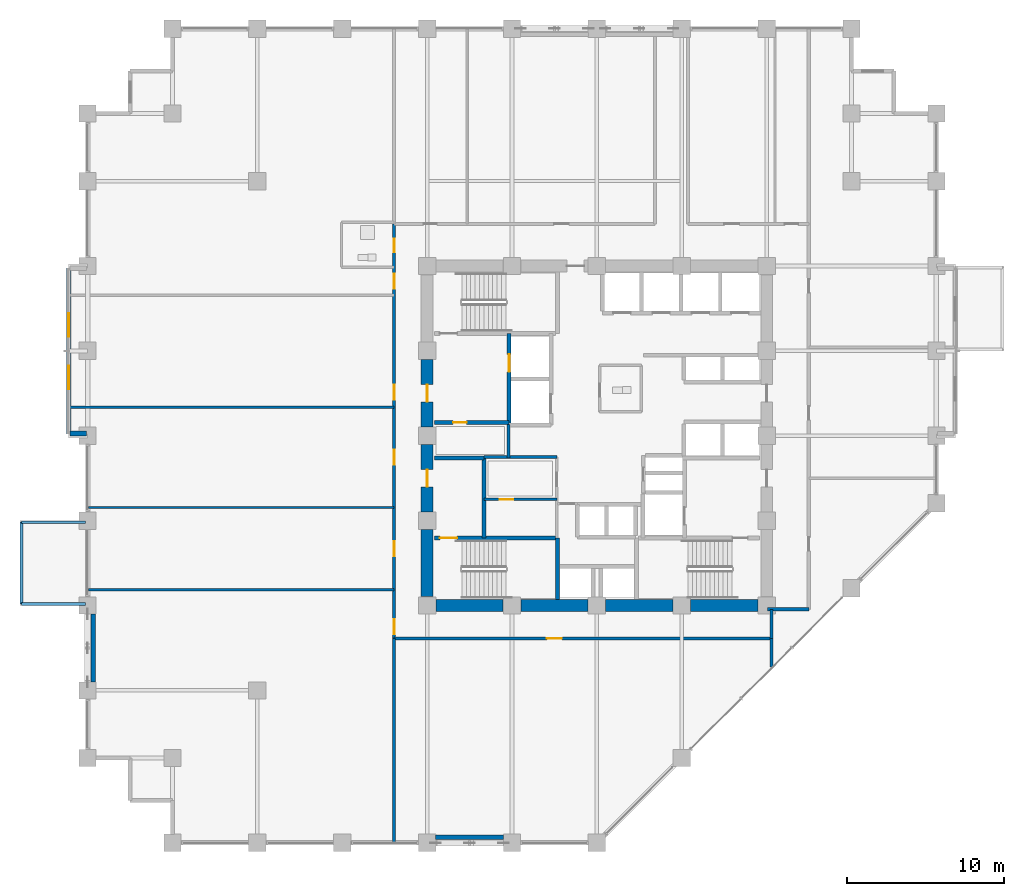
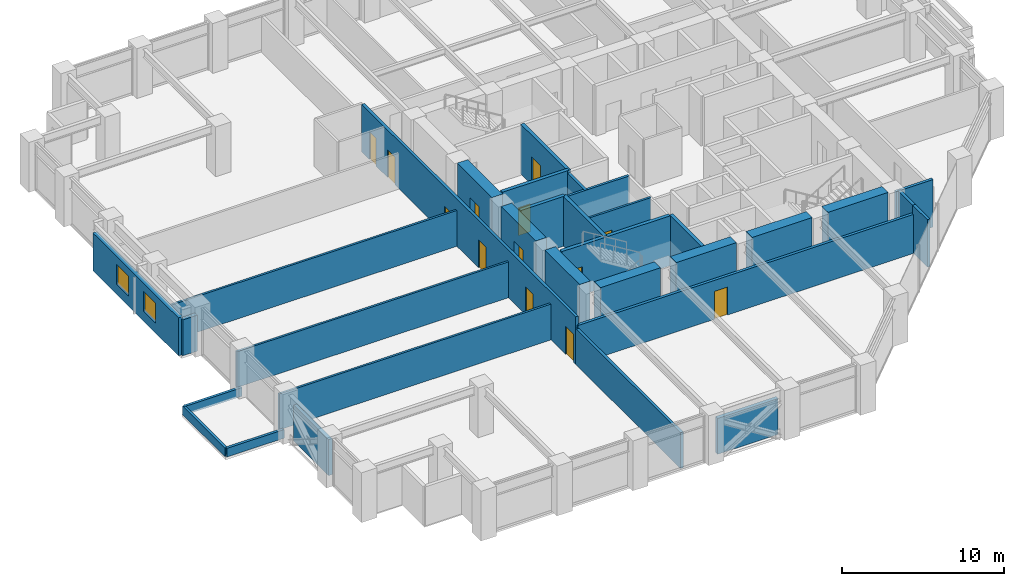
# One storey, part 19 of 25: 32 walls, 13 doors, 2 windows, 15 openings.
"""IFC4 building model written with IfcOpenShell, lengths in metres."""

import ifcopenshell
import ifcopenshell.guid

model = None  # the IFC model being written
_history = None  # IfcOwnerHistory: only IFC2X3 demands one
_inside = {}  # id of a spatial element -> (the spatial element, [elements in it])
_under = {}  # id of a project, library or spatial element -> (it, [spatial elements below it])
_declared = {}  # id of a project -> (the project, [libraries it declares])
_typed = {}  # id of a type object -> (the type object, [elements of that type])
_made_of = {}  # id of a material, layer set ... -> (it, [elements and type objects made of it])


def new_model(schema):
    """Start an empty IFC model of exactly this schema.

    Asked for "IFC4X3", IfcOpenShell would pick the latest addendum, in which some entities
    have other attributes; the version numbers below select the first issue.
    IFC2X3 requires an IfcOwnerHistory on every rooted entity: one is made here for all.
    """
    global model, _history
    if schema == "IFC4X3":
        model = ifcopenshell.file(schema_version=(4, 3, 0, 0))
    else:
        model = ifcopenshell.file(schema=schema)
    _inside.clear()
    _under.clear()
    _declared.clear()
    _typed.clear()
    _made_of.clear()
    _history = None
    if model.schema == "IFC2X3":
        org = make("IfcOrganization", Name="unknown")
        user = make(
            "IfcPersonAndOrganization",
            ThePerson=make("IfcPerson", FamilyName="unknown"),
            TheOrganization=org,
        )
        app = make(
            "IfcApplication",
            ApplicationDeveloper=org,
            Version="unknown",
            ApplicationFullName="unknown",
            ApplicationIdentifier="unknown",
        )
        _history = make(
            "IfcOwnerHistory",
            OwningUser=user,
            OwningApplication=app,
            ChangeAction="ADDED",
            CreationDate=0,
        )
    return model


def make(cls, **values):
    """One entity of the class cls with the attributes given. An attribute that is None is left unset."""
    return model.create_entity(
        cls, **{name: value for name, value in values.items() if value is not None}
    )


def rooted(cls, **values):
    """An entity with a GlobalId (a new one), such as an element, a storey or a relation."""
    return make(cls, GlobalId=ifcopenshell.guid.new(), OwnerHistory=_history, **values)


def si_unit(unit_type, name, prefix=None):
    """IfcSIUnit, for example si_unit("LENGTHUNIT", "METRE", prefix="MILLI")."""
    return make("IfcSIUnit", UnitType=unit_type, Prefix=prefix, Name=name)


def assignment(units):
    """IfcUnitAssignment: the units of a project."""
    return None if units is None else make("IfcUnitAssignment", Units=units)


def point(xyz):
    """IfcCartesianPoint."""
    return None if xyz is None else make("IfcCartesianPoint", Coordinates=xyz)


def direction(xyz):
    """IfcDirection."""
    return None if xyz is None else make("IfcDirection", DirectionRatios=xyz)


def frame(location, z_axis=None, x_axis=None):
    """IfcAxis2Placement3D, a coordinate frame: its origin and axes. An axis left out is left unset."""
    return make(
        "IfcAxis2Placement3D",
        Location=point(location),
        Axis=direction(z_axis),
        RefDirection=direction(x_axis),
    )


def frame_2d(location, x_axis=None):
    """IfcAxis2Placement2D, a coordinate frame in the plane: its origin and x axis."""
    return make(
        "IfcAxis2Placement2D", Location=point(location), RefDirection=direction(x_axis)
    )


def origin():
    """The frame at (0, 0, 0) with its axes left unset."""
    return frame((0.0, 0.0, 0.0))


def place(relative_to, where):
    """IfcLocalPlacement: puts the frame where relative to a parent placement (None: the world)."""
    return make(
        "IfcLocalPlacement", PlacementRelTo=relative_to, RelativePlacement=where
    )


def context(
    kind, dimensions, precision=None, world=None, true_north=None, identifier=None
):
    """IfcGeometricRepresentationContext, for example the 3D "Model" context."""
    return make(
        "IfcGeometricRepresentationContext",
        ContextIdentifier=identifier,
        ContextType=kind,
        CoordinateSpaceDimension=dimensions,
        Precision=precision,
        WorldCoordinateSystem=world,
        TrueNorth=true_north,
    )


def subcontext(parent, identifier, kind, view, scale=None):
    """IfcGeometricRepresentationSubContext, for example "Body" below "Model"."""
    return make(
        "IfcGeometricRepresentationSubContext",
        ContextIdentifier=identifier,
        ContextType=kind,
        ParentContext=parent,
        TargetScale=scale,
        TargetView=view,
    )


def project(units=None, contexts=None):
    """IfcProject with its units and contexts."""
    return rooted(
        "IfcProject",
        Name="project",
        RepresentationContexts=contexts,
        UnitsInContext=assignment(units),
    )


def spatial(cls, under=None, at=None, **own):
    """A site, building, storey or space (cls), placed at a placement, below another one or the project."""
    s = rooted(cls, ObjectPlacement=at, **own)
    if under is not None:
        _under.setdefault(under.id(), (under, []))[1].append(s)
    return s


def profile(cls, at=None, kind="AREA", **sizes):
    """A parametric profile (cls). Its sizes go by their IFC names, for example OverallWidth=200.0."""
    return make(cls, ProfileType=kind, Position=at, **sizes)


def rectangle(**sizes):
    """IfcRectangleProfileDef."""
    return profile("IfcRectangleProfileDef", **sizes)


def extrude(swept, where, along, depth):
    """IfcExtrudedAreaSolid: the profile swept, set in the frame where, extruded along a direction by depth."""
    return make(
        "IfcExtrudedAreaSolid",
        SweptArea=swept,
        Position=where,
        ExtrudedDirection=direction(along),
        Depth=depth,
    )


def shape(context_of_items, identifier, shape_type, items):
    """IfcShapeRepresentation: the items that make up one representation, for example the "Body"."""
    return make(
        "IfcShapeRepresentation",
        ContextOfItems=context_of_items,
        RepresentationIdentifier=identifier,
        RepresentationType=shape_type,
        Items=items,
    )


def material(Name=None, Category=None):
    """IfcMaterial."""
    return make("IfcMaterial", Name=Name, Category=Category)


def layer(
    of_material, thickness, ventilated=None, Name=None, Category=None, Priority=None
):
    """IfcMaterialLayer: one layer of a wall or slab, of a material (None: an air gap)."""
    return make(
        "IfcMaterialLayer",
        Material=of_material,
        LayerThickness=thickness,
        IsVentilated=ventilated,
        Name=Name,
        Category=Category,
        Priority=Priority,
    )


def layer_set(layers, Name=None):
    """IfcMaterialLayerSet."""
    return make("IfcMaterialLayerSet", MaterialLayers=layers, LayerSetName=Name)


def made_of(thing, what):
    """Note that an element or type object is made of a material, layer set ...; save() writes the relation."""
    if what is not None:
        _made_of.setdefault(what.id(), (what, []))[1].append(thing)
    return thing


def type_object(cls, material=None, **own):
    """A type object (cls), such as IfcWallType, which elements share."""
    return made_of(rooted(cls, **own), material)


def element(
    cls,
    number,
    at=None,
    inside=None,
    cuts=None,
    type_object=None,
    material=None,
    context=None,
    identifier="Body",
    shape_type=None,
    held_by="IfcProductDefinitionShape",
    body=None,
    shapes=None,
    **own,
):
    """One element of the class cls, such as IfcWall. Its Tag is "e" and its number.

    at: its placement. inside: the storey or other place that contains it. cuts: it is an
    opening in that element (IfcRelVoidsElement). A single representation is given by context,
    identifier, shape_type and body (its items); several are given by shapes. held_by: the class
    of the entity that holds the representations. save() writes the other relations.
    """
    e = rooted(cls, Tag="e%d" % number, ObjectPlacement=at, **own)
    if body is not None:
        shapes = [shape(context, identifier, shape_type, body)]
    if shapes is not None:
        e.Representation = make(held_by, Representations=shapes)
    if inside is not None:
        _inside.setdefault(inside.id(), (inside, []))[1].append(e)
    if cuts is not None:
        rooted(
            "IfcRelVoidsElement", RelatingBuildingElement=cuts, RelatedOpeningElement=e
        )
    if type_object is not None:
        _typed.setdefault(type_object.id(), (type_object, []))[1].append(e)
    return made_of(e, material)


def fill(opening, filler):
    """IfcRelFillsElement: the door or window that sits in an opening."""
    return rooted(
        "IfcRelFillsElement",
        RelatingOpeningElement=opening,
        RelatedBuildingElement=filler,
    )


def aggregate(whole, parts):
    """IfcRelAggregates: a whole, such as a stair, and the parts it consists of."""
    return rooted("IfcRelAggregates", RelatingObject=whole, RelatedObjects=parts)


def save(model, path):
    """Write the relations noted so far, then the file.

    IfcRelAggregates (storeys below a building ...), IfcRelContainedInSpatialStructure (elements
    in a storey), IfcRelDefinesByType, IfcRelAssociatesMaterial and IfcRelDeclares: one each for
    every whole, place, type object, material and project.
    """
    for whole, parts in _under.values():
        aggregate(whole, parts)
    for where, things in _inside.values():
        rooted(
            "IfcRelContainedInSpatialStructure",
            RelatedElements=things,
            RelatingStructure=where,
        )
    for kind, things in _typed.values():
        rooted("IfcRelDefinesByType", RelatedObjects=things, RelatingType=kind)
    for what, things in _made_of.values():
        rooted("IfcRelAssociatesMaterial", RelatedObjects=things, RelatingMaterial=what)
    for by, libraries in _declared.values():
        rooted("IfcRelDeclares", RelatingContext=by, RelatedDefinitions=libraries)
    model.write(path)


model = new_model("IFC4")

# Units and contexts
model_context = context("Model", 3, precision=1e-05, world=origin(), true_north=direction((0.0, 1.0)))
body_context = subcontext(model_context, "Body", "Model", "MODEL_VIEW")
ifc_project = project(units=[si_unit("LENGTHUNIT", "METRE"), si_unit("AREAUNIT", "SQUARE_METRE"), si_unit("VOLUMEUNIT", "CUBIC_METRE"), si_unit("PLANEANGLEUNIT", "RADIAN"), si_unit("MASSUNIT", "GRAM", prefix="KILO")], contexts=[model_context])

# Site, building, storey
site_placement = place(None, origin())
site = spatial("IfcSite", under=ifc_project, at=site_placement, CompositionType="ELEMENT")
building_placement = place(site_placement, origin())
building = spatial("IfcBuilding", under=site, at=building_placement, Name="Surkhivell Harbour Commons", CompositionType="ELEMENT")
storey_placement = place(building_placement, frame((0.0, 0.0, 94.5)))
storey = spatial("IfcBuildingStorey", under=building, at=storey_placement, Name="L24", CompositionType="ELEMENT", Elevation=94.5)

# Walls
ifc_material_1 = material(Name="Concrete C60/75", Category="concrete")
ifc_layer_1 = layer(ifc_material_1, 0.75)
ifc_layer_set_1 = layer_set([ifc_layer_1], Name="Concrete C60/75")
wall_type_1 = type_object("IfcWallType", Name="WAL-CORE-750", PredefinedType="SHEAR", material=ifc_layer_set_1)
for number, where, z_axis, x_axis, name in (
    (1, (-10.239990234375, -10.800048828125, 0.0), (0.0, 0.0, 1.0), (1.0, 0.0, 0.0), "L24 Core Shear Wall South 1"),
    (2, (-10.800048828125, -10.239990234375, 0.0), (0.0, 0.0, 1.0), (0.0, 1.0, 0.0), "L24 Core Shear Wall West 1"),
    (3, (-4.840087890625, -10.800048828125, 0.0), (0.0, 0.0, 1.0), (1.0, 0.0, 0.0), "L24 Core Shear Wall South 2"),
):
    element("IfcWall", number, at=place(storey_placement, frame(where, z_axis=z_axis, x_axis=x_axis)), inside=storey, type_object=wall_type_1, Name=name, PredefinedType="SHEAR", context=body_context, shape_type="SweptSolid", body=[
        extrude(rectangle(XDim=4.280029296875, YDim=0.75, at=frame_2d((2.14013671875, 0.0))), origin(), (0.0, 0.0, 1.0), 3.75),
    ])

# Wall, opening, door
wall_1_placement = place(storey_placement, frame((-10.800048828125, -4.840087890625, 0.0), z_axis=(0.0, 0.0, 1.0), x_axis=(0.0, 1.0, 0.0)))
wall_1 = element("IfcWall", 4, at=wall_1_placement, inside=storey, type_object=wall_type_1, Name="L24 Core Shear Wall West 2", PredefinedType="SHEAR", context=body_context, shape_type="SweptSolid", body=[
    extrude(rectangle(XDim=4.280029296875, YDim=0.75, at=frame_2d((2.14013671875, 0.0))), origin(), (0.0, 0.0, 1.0), 3.75),
])
opening_1_placement = place(wall_1_placement, frame((1.590087890625, 0.0, 0.0)))
opening_1 = element("IfcOpeningElement", 5, at=opening_1_placement, cuts=wall_1, Name="Opening ID-2", PredefinedType="OPENING", context=body_context, shape_type="SweptSolid", body=[
    extrude(rectangle(XDim=1.10009765625, YDim=2.10009765625, at=frame_2d((0.550048828125, 1.050048828125))), frame((0.0, 0.385009765625, 0.0), z_axis=(0.0, -1.0, 0.0), x_axis=(1.0, 0.0, 0.0)), (0.0, 0.0, 1.0), 0.77001953125),
])
ifc_material_2 = material(Name="Hardwood-veneered fire-rated door leaf", Category="wood")
door_type_1 = type_object("IfcDoorType", Name="DOR-FD60-1100", OperationType="NOTDEFINED", PredefinedType="DOOR", material=ifc_material_2)
door_1_placement = place(opening_1_placement, origin())
door_1 = element("IfcDoor", 6, at=door_1_placement, inside=storey, type_object=door_type_1, Name="L24 Stair 3 Lobby Corridor Door", OperationType="SINGLE_SWING_LEFT", OverallHeight=2.10009765625, OverallWidth=1.10009765625, PredefinedType="DOOR", context=body_context, shape_type="SweptSolid", body=[
    extrude(rectangle(XDim=1.10009765625, YDim=2.10009765625, at=frame_2d((0.550048828125, 1.050048828125))), frame((0.0, 0.02490234375, 0.0), z_axis=(0.0, -1.0, 0.0), x_axis=(1.0, 0.0, 0.0)), (0.0, 0.0, 1.0), 0.050048828125),
])
fill(opening_1, door_1)

# Wall
wall_2_placement = place(storey_placement, frame((0.56005859375, -10.800048828125, 0.0), z_axis=(0.0, 0.0, 1.0), x_axis=(1.0, 0.0, 0.0)))
element("IfcWall", 7, at=wall_2_placement, inside=storey, type_object=wall_type_1, Name="L24 Core Shear Wall South 3", PredefinedType="SHEAR", context=body_context, shape_type="SweptSolid", body=[
    extrude(rectangle(XDim=4.280029296875, YDim=0.75, at=frame_2d((2.14013671875, 0.0))), origin(), (0.0, 0.0, 1.0), 3.75),
])

# Wall, opening, door
wall_3_placement = place(storey_placement, frame((-10.800048828125, 0.56005859375, 0.0), z_axis=(0.0, 0.0, 1.0), x_axis=(0.0, 1.0, 0.0)))
wall_3 = element("IfcWall", 8, at=wall_3_placement, inside=storey, type_object=wall_type_1, Name="L24 Core Shear Wall West 3", PredefinedType="SHEAR", context=body_context, shape_type="SweptSolid", body=[
    extrude(rectangle(XDim=4.280029296875, YDim=0.75, at=frame_2d((2.14013671875, 0.0))), origin(), (0.0, 0.0, 1.0), 3.75),
])
opening_2_placement = place(wall_3_placement, frame((1.590087890625, 0.0, 0.0)))
opening_2 = element("IfcOpeningElement", 9, at=opening_2_placement, cuts=wall_3, Name="Opening ID-1", PredefinedType="OPENING", context=body_context, shape_type="SweptSolid", body=[
    extrude(rectangle(XDim=1.10009765625, YDim=2.10009765625, at=frame_2d((0.550048828125, 1.050048828125))), frame((0.0, 0.385009765625, 0.0), z_axis=(0.0, -1.0, 0.0), x_axis=(1.0, 0.0, 0.0)), (0.0, 0.0, 1.0), 0.77001953125),
])
door_type_2 = type_object("IfcDoorType", Name="DOR-FD120-1100", OperationType="NOTDEFINED", PredefinedType="DOOR", material=ifc_material_2)
door_2_placement = place(opening_2_placement, origin())
door_2 = element("IfcDoor", 10, at=door_2_placement, inside=storey, type_object=door_type_2, Name="L24 Firefighting Lobby 1 Corridor Door", OperationType="SINGLE_SWING_LEFT", OverallHeight=2.10009765625, OverallWidth=1.10009765625, PredefinedType="DOOR", context=body_context, shape_type="SweptSolid", body=[
    extrude(rectangle(XDim=1.10009765625, YDim=2.10009765625, at=frame_2d((0.550048828125, 1.050048828125))), frame((0.0, 0.02490234375, 0.0), z_axis=(0.0, -1.0, 0.0), x_axis=(1.0, 0.0, 0.0)), (0.0, 0.0, 1.0), 0.050048828125),
])
fill(opening_2, door_2)

# Wall
wall_4_placement = place(storey_placement, frame((5.9599609375, -10.800048828125, 0.0), z_axis=(0.0, 0.0, 1.0), x_axis=(1.0, 0.0, 0.0)))
element("IfcWall", 11, at=wall_4_placement, inside=storey, type_object=wall_type_1, Name="L24 Core Shear Wall South 4", PredefinedType="SHEAR", context=body_context, shape_type="SweptSolid", body=[
    extrude(rectangle(XDim=4.280029296875, YDim=0.75, at=frame_2d((2.14013671875, 0.0))), origin(), (0.0, 0.0, 1.0), 3.75),
])

# Wall, openings, windows
ifc_material_3 = material(Name="Flemish-bond kiln brick and precast concrete C45/55", Category="masonry")
ifc_layer_2 = layer(ifc_material_3, 0.300048828125)
ifc_layer_set_2 = layer_set([ifc_layer_2], Name="Flemish-bond kiln brick and precast concrete C45/55")
wall_type_2 = type_object("IfcWallType", Name="WAL-EXT-BRK300", PredefinedType="STANDARD", material=ifc_layer_set_2)
wall_5_placement = place(storey_placement, frame((-33.60009765625, 10.679931640625, 0.0), z_axis=(0.0, 0.0, 1.0), x_axis=(0.0, -1.0, 0.0)))
wall_5 = element("IfcWall", 12, at=wall_5_placement, inside=storey, type_object=wall_type_2, Name="L24 Coloured Box Front Wall 02", PredefinedType="STANDARD", context=body_context, shape_type="SweptSolid", body=[
    extrude(rectangle(XDim=10.559814453125, YDim=0.300048828125, at=frame_2d((5.27978515625, 0.0))), origin(), (0.0, 0.0, 1.0), 2.85693359375),
])
opening_3_placement = place(wall_5_placement, frame((2.889892578125, 0.0, 0.75)))
opening_3 = element("IfcOpeningElement", 13, at=opening_3_placement, cuts=wall_5, Name="Opening WN-13", PredefinedType="OPENING", context=body_context, shape_type="SweptSolid", body=[
    extrude(rectangle(XDim=1.5, YDim=1.5, at=frame_2d((0.75, 0.75))), frame((0.0, 0.159912109375, 0.0), z_axis=(0.0, -1.0, 0.0), x_axis=(1.0, 0.0, 0.0)), (0.0, 0.0, 1.0), 0.320068359375),
])
opening_4_placement = place(wall_5_placement, frame((6.22998046875, 0.0, 0.75)))
opening_4 = element("IfcOpeningElement", 14, at=opening_4_placement, cuts=wall_5, Name="Opening WN-13", PredefinedType="OPENING", context=body_context, shape_type="SweptSolid", body=[
    extrude(rectangle(XDim=1.5, YDim=1.5, at=frame_2d((0.75, 0.75))), frame((0.0, 0.159912109375, 0.0), z_axis=(0.0, -1.0, 0.0), x_axis=(1.0, 0.0, 0.0)), (0.0, 0.0, 1.0), 0.320068359375),
])
ifc_material_4 = material(Name="Thermal-break aluminium frame and double low-E glazing", Category="aluminium")
window_type = type_object("IfcWindowType", Name="WIN-BOX-1500x1500", PartitioningType="SINGLE_PANEL", PredefinedType="WINDOW", material=ifc_material_4)
window_1_placement = place(opening_3_placement, origin())
window_1 = element("IfcWindow", 15, at=window_1_placement, inside=storey, type_object=window_type, Name="L24 Coloured Box Square Window 02-1", OverallHeight=1.5, OverallWidth=1.5, PartitioningType="SINGLE_PANEL", PredefinedType="WINDOW", context=body_context, shape_type="SweptSolid", body=[
    extrude(rectangle(XDim=1.5, YDim=1.5, at=frame_2d((0.75, 0.75))), frame((0.0, 0.030029296875, 0.0), z_axis=(0.0, -1.0, 0.0), x_axis=(1.0, 0.0, 0.0)), (0.0, 0.0, 1.0), 0.06005859375),
])
fill(opening_3, window_1)
window_2_placement = place(opening_4_placement, origin())
window_2 = element("IfcWindow", 16, at=window_2_placement, inside=storey, type_object=window_type, Name="L24 Coloured Box Square Window 02-2", OverallHeight=1.5, OverallWidth=1.5, PartitioningType="SINGLE_PANEL", PredefinedType="WINDOW", context=body_context, shape_type="SweptSolid", body=[
    extrude(rectangle(XDim=1.5, YDim=1.5, at=frame_2d((0.75, 0.75))), frame((0.0, 0.030029296875, 0.0), z_axis=(0.0, -1.0, 0.0), x_axis=(1.0, 0.0, 0.0)), (0.0, 0.0, 1.0), 0.06005859375),
])
fill(opening_4, window_2)

# Walls
wall_6_placement = place(storey_placement, frame((-33.52001953125, 0.139892578125, 0.0), z_axis=(0.0, 0.0, 1.0), x_axis=(1.0, 0.0, 0.0)))
element("IfcWall", 17, at=wall_6_placement, inside=storey, type_object=wall_type_2, Name="L24 Coloured Box Return Wall 02S", PredefinedType="STANDARD", context=body_context, shape_type="SweptSolid", body=[
    extrude(rectangle(XDim=1.0400390625, YDim=0.300048828125, at=frame_2d((0.52001953125, 0.0))), origin(), (0.0, 0.0, 1.0), 2.698974609375),
])
ifc_material_5 = material(Name="Pale-metal insulated precast concrete C45/55", Category="concrete")
ifc_layer_3 = layer(ifc_material_5, 0.260009765625)
ifc_layer_set_3 = layer_set([ifc_layer_3], Name="Pale-metal insulated precast concrete C45/55")
wall_type_3 = type_object("IfcWallType", Name="WAL-EXT-MTL260", PredefinedType="STANDARD", material=ifc_layer_set_3)
wall_7_placement = place(storey_placement, frame((-10.251953125, -25.5400390625, 0.0), z_axis=(0.0, 0.0, 1.0), x_axis=(1.0, 0.0, 0.0)))
element("IfcWall", 18, at=wall_7_placement, inside=storey, type_object=wall_type_3, Name="L24 Braced-Bay Insulated Spandrel Backing S", PredefinedType="STANDARD", context=body_context, shape_type="SweptSolid", body=[
    extrude(rectangle(XDim=4.303955078125, YDim=0.260009765625, at=frame_2d((2.15185546875, 0.0))), origin(), (0.0, 0.0, 1.0), 2.698974609375),
])
wall_8_placement = place(storey_placement, frame((-32.0400390625, -15.652099609375, 0.0), z_axis=(0.0, 0.0, 1.0), x_axis=(0.0, 1.0, 0.0)))
element("IfcWall", 19, at=wall_8_placement, inside=storey, type_object=wall_type_3, Name="L24 Braced-Bay Insulated Spandrel Backing W", PredefinedType="STANDARD", context=body_context, shape_type="SweptSolid", body=[
    extrude(rectangle(XDim=4.30419921875, YDim=0.260009765625, at=frame_2d((2.152099609375, 0.0))), origin(), (0.0, 0.0, 1.0), 2.698974609375),
])

# Wall, opening, door
ifc_material_6 = material(Name="Twin-stud acoustic fireboard partition", Category="other")
ifc_layer_4 = layer(ifc_material_6, 0.14990234375)
ifc_layer_set_4 = layer_set([ifc_layer_4], Name="Twin-stud acoustic fireboard partition")
wall_type_4 = type_object("IfcWallType", Name="WAL-INT-150", PredefinedType="PARTITIONING", material=ifc_layer_set_4)
wall_9_placement = place(storey_placement, frame((-7.179931640625, -4.050048828125, 0.0), z_axis=(0.0, 0.0, 1.0), x_axis=(1.0, 0.0, 0.0)))
wall_9 = element("IfcWall", 20, at=wall_9_placement, inside=storey, type_object=wall_type_4, Name="L24 Core Cut A Partition", PredefinedType="PARTITIONING", context=body_context, shape_type="SweptSolid", body=[
    extrude(rectangle(XDim=4.6298828125, YDim=0.14990234375, at=frame_2d((2.31494140625, 0.0))), origin(), (0.0, 0.0, 1.0), 3.570068359375),
])
opening_5_placement = place(wall_9_placement, frame((1.0, 0.0, 0.0)))
opening_5 = element("IfcOpeningElement", 21, at=opening_5_placement, cuts=wall_9, Name="Opening ID-6", PredefinedType="OPENING", context=body_context, shape_type="SweptSolid", body=[
    extrude(rectangle(XDim=0.85009765625, YDim=2.10009765625, at=frame_2d((0.425048828125, 1.050048828125))), frame((0.0, 0.0849609375, 0.0), z_axis=(0.0, -1.0, 0.0), x_axis=(1.0, 0.0, 0.0)), (0.0, 0.0, 1.0), 0.169921875),
])
door_type_3 = type_object("IfcDoorType", Name="DOR-FD30-850", OperationType="NOTDEFINED", PredefinedType="DOOR", material=ifc_material_2)
door_3_placement = place(opening_5_placement, origin())
door_3 = element("IfcDoor", 22, at=door_3_placement, inside=storey, type_object=door_type_3, Name="L24 Linen Room Door", OperationType="SINGLE_SWING_RIGHT", OverallHeight=2.10009765625, OverallWidth=0.85009765625, PredefinedType="DOOR", context=body_context, shape_type="SweptSolid", body=[
    extrude(rectangle(XDim=0.85009765625, YDim=2.10009765625, at=frame_2d((0.425048828125, 1.050048828125))), frame((0.0, 0.02490234375, 0.0), z_axis=(0.0, -1.0, 0.0), x_axis=(1.0, 0.0, 0.0)), (0.0, 0.0, 1.0), 0.050048828125),
])
fill(opening_5, door_3)

# Walls
wall_10_placement = place(storey_placement, frame((-32.340087890625, -4.56005859375, 0.0), z_axis=(0.0, 0.0, 1.0), x_axis=(1.0, 0.0, 0.0)))
element("IfcWall", 23, at=wall_10_placement, inside=storey, type_object=wall_type_4, Name="L24 West Partition BDP1", PredefinedType="PARTITIONING", context=body_context, shape_type="SweptSolid", body=[
    extrude(rectangle(XDim=19.440185546875, YDim=0.14990234375, at=frame_2d((9.72021484375, 0.0))), origin(), (0.0, 0.0, 1.0), 2.698974609375),
])
wall_11_placement = place(storey_placement, frame((-33.5400390625, 1.81005859375, 0.0), z_axis=(0.0, 0.0, 1.0), x_axis=(1.0, 0.0, 0.0)))
element("IfcWall", 24, at=wall_11_placement, inside=storey, type_object=wall_type_4, Name="L24 West Partition BDP2", PredefinedType="PARTITIONING", context=body_context, shape_type="SweptSolid", body=[
    extrude(rectangle(XDim=20.64013671875, YDim=0.14990234375, at=frame_2d((10.320068359375, 0.0))), origin(), (0.0, 0.0, 1.0), 2.698974609375),
])
wall_12_placement = place(storey_placement, frame((-32.340087890625, -9.800048828125, 0.0), z_axis=(0.0, 0.0, 1.0), x_axis=(1.0, 0.0, 0.0)))
element("IfcWall", 25, at=wall_12_placement, inside=storey, type_object=wall_type_4, Name="L24 West Partition PBOT", PredefinedType="PARTITIONING", context=body_context, shape_type="SweptSolid", body=[
    extrude(rectangle(XDim=19.440185546875, YDim=0.14990234375, at=frame_2d((9.72021484375, 0.0))), origin(), (0.0, 0.0, 1.0), 2.698974609375),
])
ifc_material_7 = material(Name="High-density acoustic blockwork fire partition", Category="masonry")
ifc_layer_5 = layer(ifc_material_7, 0.175048828125)
ifc_layer_set_5 = layer_set([ifc_layer_5], Name="High-density acoustic blockwork fire partition")
wall_type_5 = type_object("IfcWallType", Name="WAL-INT-175", PredefinedType="PARTITIONING", material=ifc_layer_set_5)
wall_13_placement = place(storey_placement, frame((-7.179931640625, -1.35009765625, 0.0), z_axis=(0.0, 0.0, 1.0), x_axis=(1.0, 0.0, 0.0)))
element("IfcWall", 26, at=wall_13_placement, inside=storey, type_object=wall_type_5, Name="L24 Core Service Bay North Wall", PredefinedType="PARTITIONING", context=body_context, shape_type="SweptSolid", body=[
    extrude(rectangle(XDim=4.6298828125, YDim=0.175048828125, at=frame_2d((2.31494140625, 0.0))), origin(), (0.0, 0.0, 1.0), 3.570068359375),
])
wall_14_placement = place(storey_placement, frame((-5.6201171875, -1.419921875, 0.0), z_axis=(0.0, 0.0, 1.0), x_axis=(0.0, 1.0, 0.0)))
element("IfcWall", 27, at=wall_14_placement, inside=storey, type_object=wall_type_5, Name="L24 West Core Bay East Wall", PredefinedType="PARTITIONING", context=body_context, shape_type="SweptSolid", body=[
    extrude(rectangle(XDim=2.139892578125, YDim=0.175048828125, at=frame_2d((1.06982421875, 0.0))), origin(), (0.0, 0.0, 1.0), 3.570068359375),
])
ifc_material_8 = material(Name="Autoclaved aerated concrete blockwork and fire plaster", Category="masonry")
ifc_layer_6 = layer(ifc_material_8, 0.199951171875)
ifc_layer_set_6 = layer_set([ifc_layer_6], Name="Autoclaved aerated concrete blockwork and fire plaster")
wall_type_6 = type_object("IfcWallType", Name="WAL-INT-200", PredefinedType="PARTITIONING", material=ifc_layer_set_6)
wall_15_placement = place(storey_placement, frame((11.10009765625, -14.715087890625, 0.0), z_axis=(0.0, 0.0, 1.0), x_axis=(0.0, 1.0, 0.0)))
element("IfcWall", 28, at=wall_15_placement, inside=storey, type_object=wall_type_6, Name="L24 South-East Wing Corner Divider", PredefinedType="PARTITIONING", context=body_context, shape_type="SweptSolid", body=[
    extrude(rectangle(XDim=1.815185546875, YDim=0.199951171875, at=frame_2d((0.90771484375, 0.0))), origin(), (0.0, 0.0, 1.0), 3.570068359375),
])
wall_16_placement = place(storey_placement, frame((-12.89990234375, -25.840087890625, 0.0), z_axis=(0.0, 0.0, 1.0), x_axis=(0.0, 1.0, 0.0)))
element("IfcWall", 29, at=wall_16_placement, inside=storey, type_object=wall_type_6, Name="L24 South-West Wing Corner Divider", PredefinedType="PARTITIONING", context=body_context, shape_type="SweptSolid", body=[
    extrude(rectangle(XDim=12.940185546875, YDim=0.199951171875, at=frame_2d((6.47021484375, 0.0))), origin(), (0.0, 0.0, 1.0), 2.698974609375),
])
wall_17_placement = place(storey_placement, frame((10.85009765625, -11.0400390625, 0.0), z_axis=(0.0, 0.0, 1.0), x_axis=(1.0, 0.0, 0.0)))
element("IfcWall", 30, at=wall_17_placement, inside=storey, type_object=wall_type_6, Name="L24 Corridor East South Closure Wall", PredefinedType="PARTITIONING", context=body_context, shape_type="SweptSolid", body=[
    extrude(rectangle(XDim=2.6298828125, YDim=0.199951171875, at=frame_2d((1.31494140625, 0.0))), origin(), (0.0, 0.0, 1.0), 3.570068359375),
])

# Wall, opening, door
wall_18_placement = place(storey_placement, frame((-12.89990234375, -12.89990234375, 0.0), z_axis=(0.0, 0.0, 1.0), x_axis=(1.0, 0.0, 0.0)))
wall_18 = element("IfcWall", 31, at=wall_18_placement, inside=storey, type_object=wall_type_6, Name="L24 Corridor South Wall", PredefinedType="PARTITIONING", context=body_context, shape_type="SweptSolid", body=[
    extrude(rectangle(XDim=24.0, YDim=0.199951171875, at=frame_2d((12.0, 0.0))), origin(), (0.0, 0.0, 1.0), 2.93310546875),
])
opening_6_placement = place(wall_18_placement, frame((9.7177734375, 0.0, 0.0)))
opening_6 = element("IfcOpeningElement", 32, at=opening_6_placement, cuts=wall_18, Name="Opening ID-4", PredefinedType="OPENING", context=body_context, shape_type="SweptSolid", body=[
    extrude(rectangle(XDim=0.949951171875, YDim=2.10009765625, at=frame_2d((0.47509765625, 1.050048828125))), frame((0.0, 0.10986328125, 0.0), z_axis=(0.0, -1.0, 0.0), x_axis=(1.0, 0.0, 0.0)), (0.0, 0.0, 1.0), 0.219970703125),
])
door_type_4 = type_object("IfcDoorType", Name="DOR-FD60-950", OperationType="NOTDEFINED", PredefinedType="DOOR", material=ifc_material_2)
door_4_placement = place(opening_6_placement, origin())
door_4 = element("IfcDoor", 33, at=door_4_placement, inside=storey, type_object=door_type_4, Name="L24 Open Academic Study Commons Reading Library South Door", OperationType="SINGLE_SWING_LEFT", OverallHeight=2.10009765625, OverallWidth=0.949951171875, PredefinedType="DOOR", context=body_context, shape_type="SweptSolid", body=[
    extrude(rectangle(XDim=0.949951171875, YDim=2.10009765625, at=frame_2d((0.47509765625, 1.050048828125))), frame((0.0, 0.02490234375, 0.0), z_axis=(0.0, -1.0, 0.0), x_axis=(1.0, 0.0, 0.0)), (0.0, 0.0, 1.0), 0.050048828125),
])
fill(opening_6, door_4)

# Wall
wall_19_placement = place(storey_placement, frame((11.10009765625, -12.89990234375, 0.0), z_axis=(0.0, 0.0, 1.0), x_axis=(0.0, 1.0, 0.0)))
element("IfcWall", 34, at=wall_19_placement, inside=storey, type_object=wall_type_6, Name="L24 Corridor SE Closure Wall", PredefinedType="PARTITIONING", context=body_context, shape_type="SweptSolid", body=[
    extrude(rectangle(XDim=1.85986328125, YDim=0.199951171875, at=frame_2d((0.929931640625, 0.0))), origin(), (0.0, 0.0, 1.0), 3.570068359375),
])

# Wall, openings, doors
wall_20_placement = place(storey_placement, frame((-12.89990234375, -12.89990234375, 0.0), z_axis=(0.0, 0.0, 1.0), x_axis=(0.0, 1.0, 0.0)))
wall_20 = element("IfcWall", 35, at=wall_20_placement, inside=storey, type_object=wall_type_6, Name="L24 Corridor West Wall", PredefinedType="PARTITIONING", context=body_context, shape_type="SweptSolid", body=[
    extrude(rectangle(XDim=26.3798828125, YDim=0.199951171875, at=frame_2d((13.18994140625, 0.0))), origin(), (0.0, 0.0, 1.0), 3.570068359375),
])
opening_7_placement = place(wall_20_placement, frame((0.280029296875, 0.0, 0.0)))
opening_7 = element("IfcOpeningElement", 36, at=opening_7_placement, cuts=wall_20, Name="Opening ID-4", PredefinedType="OPENING", context=body_context, shape_type="SweptSolid", body=[
    extrude(rectangle(XDim=0.949951171875, YDim=2.10009765625, at=frame_2d((0.47509765625, 1.050048828125))), frame((0.0, 0.10986328125, 0.0), z_axis=(0.0, -1.0, 0.0), x_axis=(1.0, 0.0, 0.0)), (0.0, 0.0, 1.0), 0.219970703125),
])
opening_8_placement = place(wall_20_placement, frame((24.5849609375, 0.0, 0.0)))
opening_8 = element("IfcOpeningElement", 37, at=opening_8_placement, cuts=wall_20, Name="Opening ID-6", PredefinedType="OPENING", context=body_context, shape_type="SweptSolid", body=[
    extrude(rectangle(XDim=0.85009765625, YDim=2.10009765625, at=frame_2d((0.425048828125, 1.050048828125))), frame((0.0, 0.10986328125, 0.0), z_axis=(0.0, -1.0, 0.0), x_axis=(1.0, 0.0, 0.0)), (0.0, 0.0, 1.0), 0.219970703125),
])
opening_9_placement = place(wall_20_placement, frame((22.25, 0.0, 0.0)))
opening_9 = element("IfcOpeningElement", 38, at=opening_9_placement, cuts=wall_20, Name="Opening ID-4", PredefinedType="OPENING", context=body_context, shape_type="SweptSolid", body=[
    extrude(rectangle(XDim=0.949951171875, YDim=2.10009765625, at=frame_2d((0.47509765625, 1.050048828125))), frame((0.0, 0.10986328125, 0.0), z_axis=(0.0, -1.0, 0.0), x_axis=(1.0, 0.0, 0.0)), (0.0, 0.0, 1.0), 0.219970703125),
])
opening_10_placement = place(wall_20_placement, frame((5.239990234375, 0.0, 0.0)))
opening_10 = element("IfcOpeningElement", 39, at=opening_10_placement, cuts=wall_20, Name="Opening ID-4", PredefinedType="OPENING", context=body_context, shape_type="SweptSolid", body=[
    extrude(rectangle(XDim=0.949951171875, YDim=2.10009765625, at=frame_2d((0.47509765625, 1.050048828125))), frame((0.0, 0.10986328125, 0.0), z_axis=(0.0, -1.0, 0.0), x_axis=(1.0, 0.0, 0.0)), (0.0, 0.0, 1.0), 0.219970703125),
])
opening_11_placement = place(wall_20_placement, frame((11.044921875, 0.0, 0.0)))
opening_11 = element("IfcOpeningElement", 40, at=opening_11_placement, cuts=wall_20, Name="Opening ID-4", PredefinedType="OPENING", context=body_context, shape_type="SweptSolid", body=[
    extrude(rectangle(XDim=0.949951171875, YDim=2.10009765625, at=frame_2d((0.47509765625, 1.050048828125))), frame((0.0, 0.10986328125, 0.0), z_axis=(0.0, -1.0, 0.0), x_axis=(1.0, 0.0, 0.0)), (0.0, 0.0, 1.0), 0.219970703125),
])
opening_12_placement = place(wall_20_placement, frame((15.1904296875, 0.0, 0.0)))
opening_12 = element("IfcOpeningElement", 41, at=opening_12_placement, cuts=wall_20, Name="Opening ID-4", PredefinedType="OPENING", context=body_context, shape_type="SweptSolid", body=[
    extrude(rectangle(XDim=0.949951171875, YDim=2.10009765625, at=frame_2d((0.47509765625, 1.050048828125))), frame((0.0, 0.10986328125, 0.0), z_axis=(0.0, -1.0, 0.0), x_axis=(1.0, 0.0, 0.0)), (0.0, 0.0, 1.0), 0.219970703125),
])
door_5_placement = place(opening_8_placement, origin())
door_5 = element("IfcDoor", 42, at=door_5_placement, inside=storey, type_object=door_type_3, Name="L24 Communal Shower Bathroom West Door", OperationType="SINGLE_SWING_LEFT", OverallHeight=2.10009765625, OverallWidth=0.85009765625, PredefinedType="DOOR", context=body_context, shape_type="SweptSolid", body=[
    extrude(rectangle(XDim=0.85009765625, YDim=2.10009765625, at=frame_2d((0.425048828125, 1.050048828125))), frame((0.0, 0.02490234375, 0.0), z_axis=(0.0, -1.0, 0.0), x_axis=(1.0, 0.0, 0.0)), (0.0, 0.0, 1.0), 0.050048828125),
])
fill(opening_8, door_5)
door_6_placement = place(opening_7_placement, origin())
door_6 = element("IfcDoor", 43, at=door_6_placement, inside=storey, type_object=door_type_4, Name="L24 Shared Communal Kitchen West Door", OperationType="SINGLE_SWING_RIGHT", OverallHeight=2.10009765625, OverallWidth=0.949951171875, PredefinedType="DOOR", context=body_context, shape_type="SweptSolid", body=[
    extrude(rectangle(XDim=0.949951171875, YDim=2.10009765625, at=frame_2d((0.47509765625, 1.050048828125))), frame((0.0, 0.02490234375, 0.0), z_axis=(0.0, -1.0, 0.0), x_axis=(1.0, 0.0, 0.0)), (0.0, 0.0, 1.0), 0.050048828125),
])
fill(opening_7, door_6)
door_7_placement = place(opening_9_placement, origin())
door_7 = element("IfcDoor", 44, at=door_7_placement, inside=storey, type_object=door_type_4, Name="L24 Academic Reading Commons West Door", OperationType="SINGLE_SWING_RIGHT", OverallHeight=2.10009765625, OverallWidth=0.949951171875, PredefinedType="DOOR", context=body_context, shape_type="SweptSolid", body=[
    extrude(rectangle(XDim=0.949951171875, YDim=2.10009765625, at=frame_2d((0.47509765625, 1.050048828125))), frame((0.0, 0.02490234375, 0.0), z_axis=(0.0, -1.0, 0.0), x_axis=(1.0, 0.0, 0.0)), (0.0, 0.0, 1.0), 0.050048828125),
])
fill(opening_9, door_7)
door_8_placement = place(opening_10_placement, origin())
door_8 = element("IfcDoor", 45, at=door_8_placement, inside=storey, type_object=door_type_4, Name="L24 Hostel Cluster Bedroom 1 West Door", OperationType="SINGLE_SWING_LEFT", OverallHeight=2.10009765625, OverallWidth=0.949951171875, PredefinedType="DOOR", context=body_context, shape_type="SweptSolid", body=[
    extrude(rectangle(XDim=0.949951171875, YDim=2.10009765625, at=frame_2d((0.47509765625, 1.050048828125))), frame((0.0, 0.02490234375, 0.0), z_axis=(0.0, -1.0, 0.0), x_axis=(1.0, 0.0, 0.0)), (0.0, 0.0, 1.0), 0.050048828125),
])
fill(opening_10, door_8)
door_9_placement = place(opening_11_placement, origin())
door_9 = element("IfcDoor", 46, at=door_9_placement, inside=storey, type_object=door_type_4, Name="L24 Co-Living Dormitory Bedroom 2 West Door", OperationType="SINGLE_SWING_RIGHT", OverallHeight=2.10009765625, OverallWidth=0.949951171875, PredefinedType="DOOR", context=body_context, shape_type="SweptSolid", body=[
    extrude(rectangle(XDim=0.949951171875, YDim=2.10009765625, at=frame_2d((0.47509765625, 1.050048828125))), frame((0.0, 0.02490234375, 0.0), z_axis=(0.0, -1.0, 0.0), x_axis=(1.0, 0.0, 0.0)), (0.0, 0.0, 1.0), 0.050048828125),
])
fill(opening_11, door_9)
door_10_placement = place(opening_12_placement, origin())
door_10 = element("IfcDoor", 47, at=door_10_placement, inside=storey, type_object=door_type_4, Name="L24 Hostel Cluster Bedroom 3 West Door", OperationType="SINGLE_SWING_LEFT", OverallHeight=2.10009765625, OverallWidth=0.949951171875, PredefinedType="DOOR", context=body_context, shape_type="SweptSolid", body=[
    extrude(rectangle(XDim=0.949951171875, YDim=2.10009765625, at=frame_2d((0.47509765625, 1.050048828125))), frame((0.0, 0.02490234375, 0.0), z_axis=(0.0, -1.0, 0.0), x_axis=(1.0, 0.0, 0.0)), (0.0, 0.0, 1.0), 0.050048828125),
])
fill(opening_12, door_10)

# Walls
ifc_material_9 = material(Name="Anodised aluminium and precast concrete C40/50", Category="concrete")
ifc_layer_7 = layer(ifc_material_9, 0.18505859375)
ifc_layer_set_7 = layer_set([ifc_layer_7], Name="Anodised aluminium and precast concrete C40/50")
wall_type_7 = type_object("IfcWallType", Name="WAL-PAR-185", PredefinedType="PARAPET", material=ifc_layer_set_7)
wall_21_placement = place(storey_placement, frame((-32.52001953125, -5.5, 0.0), z_axis=(0.0, 0.0, 1.0), x_axis=(-1.0, 0.0, 0.0)))
element("IfcWall", 48, at=wall_21_placement, inside=storey, type_object=wall_type_7, Name="L24 Box Roof Coping Parapet 2-1", PredefinedType="PARAPET", context=body_context, shape_type="SweptSolid", body=[
    extrude(rectangle(XDim=4.080078125, YDim=0.18505859375, at=frame_2d((2.0400390625, 0.0))), origin(), (0.0, 0.0, 1.0), 0.64990234375),
])
wall_22_placement = place(storey_placement, frame((-36.60009765625, -5.5, 0.0), z_axis=(0.0, 0.0, 1.0), x_axis=(0.0, -1.0, 0.0)))
element("IfcWall", 49, at=wall_22_placement, inside=storey, type_object=wall_type_7, Name="L24 Box Roof Coping Parapet 2-2", PredefinedType="PARAPET", context=body_context, shape_type="SweptSolid", body=[
    extrude(rectangle(XDim=5.199951171875, YDim=0.18505859375, at=frame_2d((2.60009765625, 0.0))), origin(), (0.0, 0.0, 1.0), 0.64990234375),
])
wall_23_placement = place(storey_placement, frame((-36.60009765625, -10.699951171875, 0.0), z_axis=(0.0, 0.0, 1.0), x_axis=(1.0, 0.0, 0.0)))
element("IfcWall", 50, at=wall_23_placement, inside=storey, type_object=wall_type_7, Name="L24 Box Roof Coping Parapet 2-3", PredefinedType="PARAPET", context=body_context, shape_type="SweptSolid", body=[
    extrude(rectangle(XDim=4.080078125, YDim=0.18505859375, at=frame_2d((2.0400390625, 0.0))), origin(), (0.0, 0.0, 1.0), 0.64990234375),
])

# Wall, opening, door
ifc_material_10 = material(Name="Concrete C50/60", Category="concrete")
ifc_layer_8 = layer(ifc_material_10, 0.25)
ifc_layer_set_8 = layer_set([ifc_layer_8], Name="Concrete C50/60")
wall_type_8 = type_object("IfcWallType", Name="WAL-SHAFT-250", PredefinedType="SHEAR", material=ifc_layer_set_8)
wall_24_placement = place(storey_placement, frame((-5.580078125, 0.719970703125, 0.0), z_axis=(0.0, 0.0, 1.0), x_axis=(0.0, 1.0, 0.0)))
wall_24 = element("IfcWall", 51, at=wall_24_placement, inside=storey, type_object=wall_type_8, Name="L24 Firefighting Lobby 1 East Shaft Wall", PredefinedType="SHEAR", context=body_context, shape_type="SweptSolid", body=[
    extrude(rectangle(XDim=5.7900390625, YDim=0.25, at=frame_2d((2.89501953125, 0.0))), origin(), (0.0, 0.0, 1.0), 3.75),
])
opening_13_placement = place(wall_24_placement, frame((3.35009765625, 0.0, 0.0)))
opening_13 = element("IfcOpeningElement", 52, at=opening_13_placement, cuts=wall_24, Name="Opening LD-1", PredefinedType="OPENING", context=body_context, shape_type="SweptSolid", body=[
    extrude(rectangle(XDim=1.10009765625, YDim=2.10009765625, at=frame_2d((0.550048828125, 1.050048828125))), frame((0.0, 0.135009765625, 0.0), z_axis=(0.0, -1.0, 0.0), x_axis=(1.0, 0.0, 0.0)), (0.0, 0.0, 1.0), 0.27001953125),
])
ifc_material_11 = material(Name="Brushed stainless steel S355", Category="steel")
door_type_5 = type_object("IfcDoorType", Name="DOR-LD-1100", OperationType="SLIDING_TO_LEFT", PredefinedType="DOOR", material=ifc_material_11)
door_11_placement = place(opening_13_placement, origin())
door_11 = element("IfcDoor", 53, at=door_11_placement, inside=storey, type_object=door_type_5, Name="L24 Lift Landing Door LD-FFL1", OperationType="SLIDING_TO_LEFT", OverallHeight=2.10009765625, OverallWidth=1.10009765625, PredefinedType="DOOR", context=body_context, shape_type="SweptSolid", body=[
    extrude(rectangle(XDim=1.10009765625, YDim=2.10009765625, at=frame_2d((0.550048828125, 1.050048828125))), frame((0.0, 0.02490234375, 0.0), z_axis=(0.0, -1.0, 0.0), x_axis=(1.0, 0.0, 0.0)), (0.0, 0.0, 1.0), 0.050048828125),
])
fill(opening_13, door_11)

wall_25_placement = place(storey_placement, frame((-10.340087890625, 0.85009765625, 0.0), z_axis=(0.0, 0.0, 1.0), x_axis=(1.0, 0.0, 0.0)))
wall_25 = element("IfcWall", 54, at=wall_25_placement, inside=storey, type_object=wall_type_8, Name="L24 Firefighting Lobby 1 South Wall", PredefinedType="SHEAR", context=body_context, shape_type="SweptSolid", body=[
    extrude(rectangle(XDim=4.760009765625, YDim=0.25, at=frame_2d((2.3798828125, 0.0))), origin(), (0.0, 0.0, 1.0), 3.75),
])
opening_14_placement = place(wall_25_placement, frame((1.199951171875, 0.0, 0.0)))
opening_14 = element("IfcOpeningElement", 55, at=opening_14_placement, cuts=wall_25, Name="Opening ID-6", PredefinedType="OPENING", context=body_context, shape_type="SweptSolid", body=[
    extrude(rectangle(XDim=0.85009765625, YDim=2.10009765625, at=frame_2d((0.425048828125, 1.050048828125))), frame((0.0, 0.135009765625, 0.0), z_axis=(0.0, -1.0, 0.0), x_axis=(1.0, 0.0, 0.0)), (0.0, 0.0, 1.0), 0.27001953125),
])
door_12_placement = place(opening_14_placement, origin())
door_12 = element("IfcDoor", 56, at=door_12_placement, inside=storey, type_object=door_type_3, Name="L24 West Quiet Study Door", OperationType="SINGLE_SWING_RIGHT", OverallHeight=2.10009765625, OverallWidth=0.85009765625, PredefinedType="DOOR", context=body_context, shape_type="SweptSolid", body=[
    extrude(rectangle(XDim=0.85009765625, YDim=2.10009765625, at=frame_2d((0.425048828125, 1.050048828125))), frame((0.0, 0.02490234375, 0.0), z_axis=(0.0, -1.0, 0.0), x_axis=(1.0, 0.0, 0.0)), (0.0, 0.0, 1.0), 0.050048828125),
])
fill(opening_14, door_12)

# Walls
wall_26_placement = place(storey_placement, frame((-2.510009765625, -10.425048828125, 0.0), z_axis=(0.0, 0.0, 1.0), x_axis=(0.0, 1.0, 0.0)))
element("IfcWall", 57, at=wall_26_placement, inside=storey, type_object=wall_type_8, Name="L24 Stair ST3 East Shear Wall", PredefinedType="SHEAR", context=body_context, shape_type="SweptSolid", body=[
    extrude(rectangle(XDim=3.9150390625, YDim=0.25, at=frame_2d((1.95751953125, 0.0))), origin(), (0.0, 0.0, 1.0), 3.75),
])
wall_27_placement = place(storey_placement, frame((-7.179931640625, -6.510009765625, 0.0), z_axis=(0.0, 0.0, 1.0), x_axis=(0.0, 1.0, 0.0)))
element("IfcWall", 58, at=wall_27_placement, inside=storey, type_object=wall_type_8, Name="L24 Stair 3 Lobby East Wall", PredefinedType="SHEAR", context=body_context, shape_type="SweptSolid", body=[
    extrude(rectangle(XDim=5.090087890625, YDim=0.25, at=frame_2d((2.544921875, 0.0))), origin(), (0.0, 0.0, 1.0), 3.75),
])
wall_28_placement = place(storey_placement, frame((-10.340087890625, -1.419921875, 0.0), z_axis=(0.0, 0.0, 1.0), x_axis=(1.0, 0.0, 0.0)))
element("IfcWall", 59, at=wall_28_placement, inside=storey, type_object=wall_type_8, Name="L24 Stair 3 Lobby North Wall", PredefinedType="SHEAR", context=body_context, shape_type="SweptSolid", body=[
    extrude(rectangle(XDim=3.16015625, YDim=0.25, at=frame_2d((1.580078125, 0.0))), origin(), (0.0, 0.0, 1.0), 3.75),
])

# Wall, opening, door
wall_29_placement = place(storey_placement, frame((-10.340087890625, -6.510009765625, 0.0), z_axis=(0.0, 0.0, 1.0), x_axis=(1.0, 0.0, 0.0)))
wall_29 = element("IfcWall", 60, at=wall_29_placement, inside=storey, type_object=wall_type_8, Name="L24 Stair ST3 North Shear Wall", PredefinedType="SHEAR", context=body_context, shape_type="SweptSolid", body=[
    extrude(rectangle(XDim=7.7001953125, YDim=0.25, at=frame_2d((3.85009765625, 0.0))), origin(), (0.0, 0.0, 1.0), 3.75),
])
opening_15_placement = place(wall_29_placement, frame((0.35009765625, 0.0, 0.0)))
opening_15 = element("IfcOpeningElement", 61, at=opening_15_placement, cuts=wall_29, Name="Opening ID-2", PredefinedType="OPENING", context=body_context, shape_type="SweptSolid", body=[
    extrude(rectangle(XDim=1.10009765625, YDim=2.10009765625, at=frame_2d((0.550048828125, 1.050048828125))), frame((0.0, 0.135009765625, 0.0), z_axis=(0.0, -1.0, 0.0), x_axis=(1.0, 0.0, 0.0)), (0.0, 0.0, 1.0), 0.27001953125),
])
door_13_placement = place(opening_15_placement, origin())
door_13 = element("IfcDoor", 62, at=door_13_placement, inside=storey, type_object=door_type_1, Name="L24 Stair ST3 Exit Door", OperationType="SINGLE_SWING_RIGHT", OverallHeight=2.10009765625, OverallWidth=1.10009765625, PredefinedType="DOOR", context=body_context, shape_type="SweptSolid", body=[
    extrude(rectangle(XDim=1.10009765625, YDim=2.10009765625, at=frame_2d((0.550048828125, 1.050048828125))), frame((0.0, 0.02490234375, 0.0), z_axis=(0.0, -1.0, 0.0), x_axis=(1.0, 0.0, 0.0)), (0.0, 0.0, 1.0), 0.050048828125),
])
fill(opening_15, door_13)

save(model, "model.ifc")
